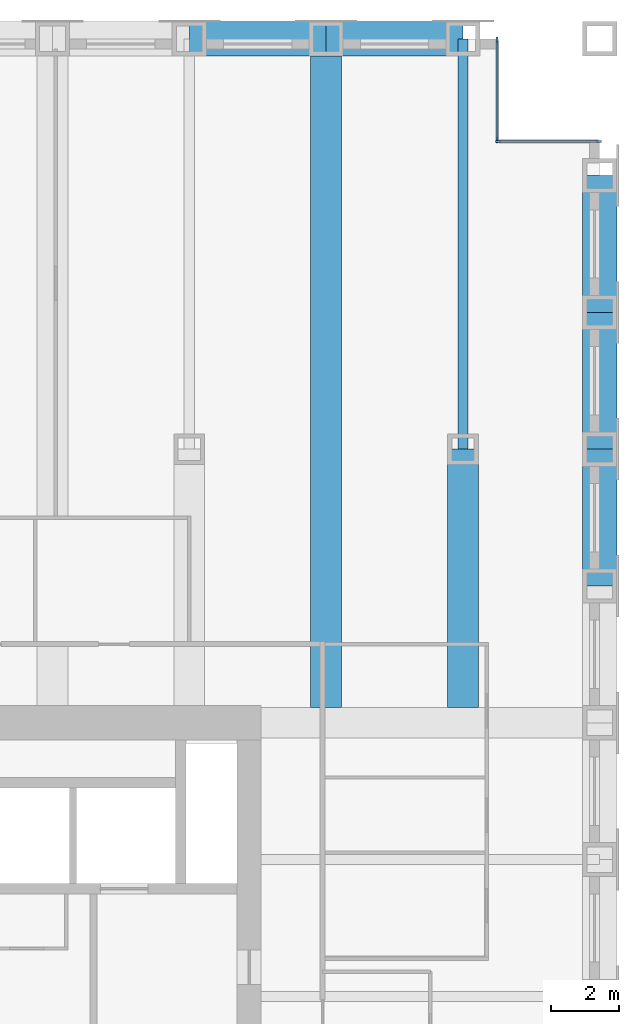
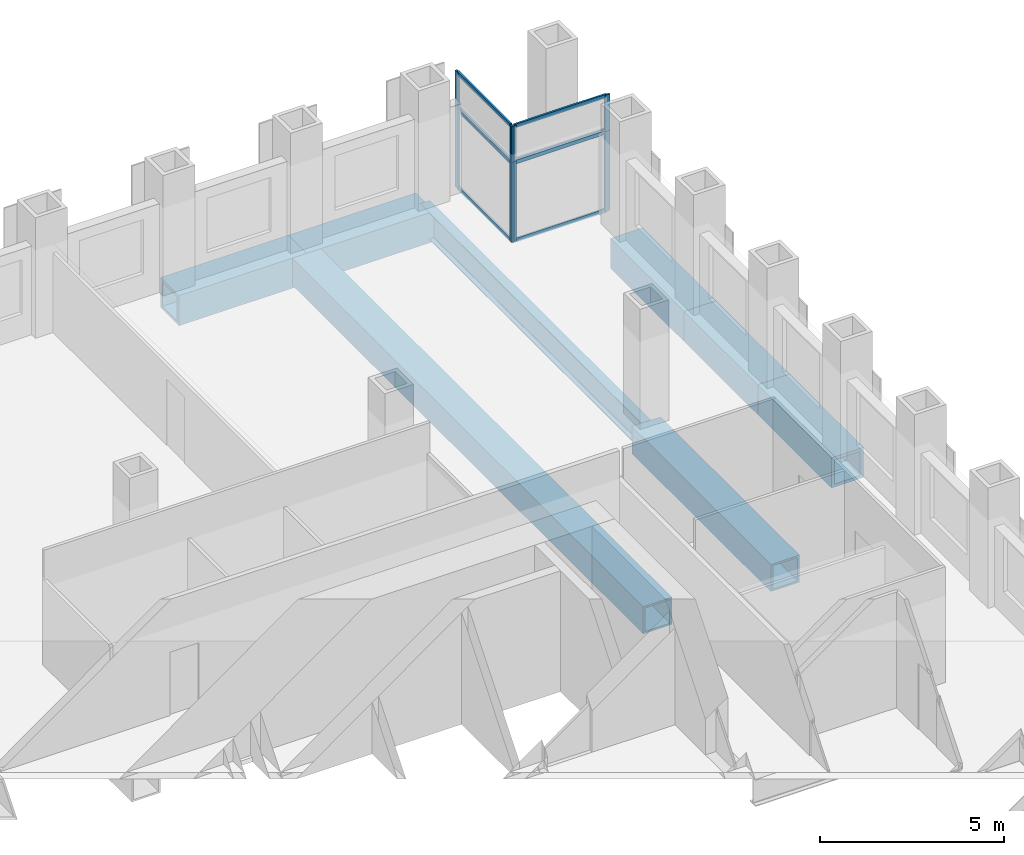
# One storey, part 7 of 13: 16 members, 8 beams, 4 elements without a shape of their own.
"""IFC4 building model written with IfcOpenShell, lengths in metres."""

from ifc_helpers import new_model, si_unit, direction, frame, origin, origin_2d, place, context, subcontext, project, spatial, rectangle, hollow_rectangle, i_section, extrude, material, material_profile, profile_set, type_object, element, aggregate, save


model = new_model("IFC4")

# Units and contexts
model_context = context("Model", 3, precision=1e-05, world=origin(), true_north=direction((0.0, 1.0)))
body_context = subcontext(model_context, "Body", "Model", "MODEL_VIEW")
ifc_project = project(units=[si_unit("LENGTHUNIT", "METRE"), si_unit("AREAUNIT", "SQUARE_METRE"), si_unit("VOLUMEUNIT", "CUBIC_METRE"), si_unit("PLANEANGLEUNIT", "RADIAN"), si_unit("MASSUNIT", "GRAM", prefix="KILO")], contexts=[model_context])

# Site, building, storey
site_placement = place(None, origin())
site = spatial("IfcSite", under=ifc_project, at=site_placement, CompositionType="ELEMENT")
building_placement = place(site_placement, origin())
building = spatial("IfcBuilding", under=site, at=building_placement, Name="Rimbunsela Tower", CompositionType="ELEMENT")
storey_placement = place(building_placement, frame((0.0, 0.0, 199.800048828125)))
storey = spatial("IfcBuildingStorey", under=building, at=storey_placement, Name="L48", CompositionType="ELEMENT", Elevation=199.800048828125)

# Beams
ifc_material_1 = material(Name="Steel BJ 55 (fy 410 MPa)", Category="steel")
ifc_material_profile_1 = material_profile(ifc_material_1, hollow_rectangle(XDim=1.0, YDim=1.0, WallThickness=0.10009765625, at=origin_2d()), Name="BOX 1000x1000x100")
ifc_profile_set_1 = profile_set([ifc_material_profile_1], Name="Steel BJ 55 (fy 410 MPa)")
beam_type_1 = type_object("IfcBeamType", Name="Beam BOX 1000x1000x100", PredefinedType="BEAM", material=ifc_profile_set_1)
for number, where, z_axis, x_axis, name in (
    (1, (34.0, 56.0, -0.650146484375), (1.0, 0.0, 0.0), (0.0, 1.0, 0.0), "Beam B3 L48"),
    (2, (38.0, 56.0, -0.650146484375), (1.0, 0.0, 0.0), (0.0, 1.0, 0.0), "Beam B3 L48"),
    (3, (46.0, 40.0, -0.650146484375), (0.0, 1.0, 0.0), (-1.0, 0.0, 0.0), "Beam B3 L48"),
    (4, (46.0, 44.0, -0.650146484375), (0.0, 1.0, 0.0), (-1.0, 0.0, 0.0), "Beam B3 L48"),
    (5, (46.0, 48.0, -0.650146484375), (0.0, 1.0, 0.0), (-1.0, 0.0, 0.0), "Beam B3 L48"),
):
    element("IfcBeam", number, at=place(storey_placement, frame(where, z_axis=z_axis, x_axis=x_axis)), inside=storey, type_object=beam_type_1, Name=name, PredefinedType="BEAM", context=body_context, shape_type="SweptSolid", body=[
        extrude(hollow_rectangle(XDim=1.0, YDim=1.0, WallThickness=0.10009765625, at=origin_2d()), origin(), (0.0, 0.0, 1.0), 4.0),
    ])
ifc_material_2 = material(Name="Steel BJ 55 (fy 410 MPa)", Category="steel")
ifc_material_profile_2 = material_profile(ifc_material_2, hollow_rectangle(XDim=0.89990234375, YDim=0.89990234375, WallThickness=0.06005859375, at=origin_2d()), Name="BOX 900x900x60")
ifc_profile_set_2 = profile_set([ifc_material_profile_2], Name="Steel BJ 55 (fy 410 MPa)")
beam_type_2 = type_object("IfcBeamType", Name="Beam BOX 900x900x60", PredefinedType="BEAM", material=ifc_profile_set_2)
beam_1_placement = place(storey_placement, frame((38.0, 36.449951171875, -0.60009765625), z_axis=(0.0, 1.0, 0.0), x_axis=(-1.0, 0.0, 0.0)))
element("IfcBeam", 6, at=beam_1_placement, inside=storey, type_object=beam_type_2, Name="Beam B1 L48", PredefinedType="BEAM", context=body_context, shape_type="SweptSolid", body=[
    extrude(hollow_rectangle(XDim=0.89990234375, YDim=0.89990234375, WallThickness=0.06005859375, at=origin_2d()), origin(), (0.0, 0.0, 1.0), 19.550048828125),
])
beam_2_placement = place(storey_placement, frame((42.0, 36.449951171875, -0.60009765625), z_axis=(0.0, 1.0, 0.0), x_axis=(-1.0, 0.0, 0.0)))
element("IfcBeam", 7, at=beam_2_placement, inside=storey, type_object=beam_type_2, Name="Beam B1 L48", PredefinedType="BEAM", context=body_context, shape_type="SweptSolid", body=[
    extrude(hollow_rectangle(XDim=0.89990234375, YDim=0.89990234375, WallThickness=0.06005859375, at=origin_2d()), origin(), (0.0, 0.0, 1.0), 7.550048828125),
])
ifc_material_3 = material(Name="Steel BJ 55 (fy 410 MPa)", Category="steel")
ifc_material_profile_3 = material_profile(ifc_material_3, i_section(OverallWidth=0.300048828125, OverallDepth=0.89990234375, WebThickness=0.01611328125, FlangeThickness=0.028076171875, FilletRadius=0.028076171875, at=origin_2d()), Name="H 900x300x16x28")
ifc_profile_set_3 = profile_set([ifc_material_profile_3], Name="Steel BJ 55 (fy 410 MPa)")
beam_type_3 = type_object("IfcBeamType", Name="Beam H 900x300x16x28", PredefinedType="BEAM", material=ifc_profile_set_3)
beam_3_placement = place(storey_placement, frame((42.0, 44.0, -0.60009765625), z_axis=(0.0, 1.0, 0.0), x_axis=(-1.0, 0.0, 0.0)))
element("IfcBeam", 8, at=beam_3_placement, inside=storey, type_object=beam_type_3, Name="Beam B2 L48", PredefinedType="BEAM", context=body_context, shape_type="SweptSolid", body=[
    extrude(i_section(OverallWidth=0.300048828125, OverallDepth=0.89990234375, WebThickness=0.01611328125, FlangeThickness=0.028076171875, FilletRadius=0.028076171875, at=origin_2d()), origin(), (0.0, 0.0, 1.0), 12.0),
])

# Curtain wall, members
ifc_material_4 = material(Name="Aluminium curtain wall", Category="aluminium")
curtain_wall_type_1 = type_object("IfcCurtainWallType", Name="Corner glazing", PredefinedType="USERDEFINED", material=ifc_material_4)
curtain_wall_1_placement = place(storey_placement, origin())
curtain_wall_1 = element("IfcCurtainWall", 9, at=curtain_wall_1_placement, inside=storey, type_object=curtain_wall_type_1, Name="Corner glazing L48", ObjectType="CORNER GLAZING", PredefinedType="USERDEFINED")
ifc_material_5 = material(Name="Aluminium mullion", Category="aluminium")
ifc_material_profile_4 = material_profile(ifc_material_5, rectangle(XDim=0.06005859375, YDim=0.159912109375, at=origin_2d()), Name="Mullion 60x160")
ifc_profile_set_4 = profile_set([ifc_material_profile_4], Name="Aluminium mullion")
member_type_1 = type_object("IfcMemberType", Name="Curtain wall mullion 60x160", PredefinedType="MULLION", material=ifc_profile_set_4)
member_1_placement = place(storey_placement, frame((45.969970703125, 53.0, 0.0), z_axis=(0.0, 0.0, 1.0), x_axis=(0.0, -1.0, 0.0)))
member_1 = element("IfcMember", 10, at=member_1_placement, type_object=member_type_1, Name="CW5 mullion 1", PredefinedType="MULLION", context=body_context, shape_type="SweptSolid", body=[
    extrude(rectangle(XDim=0.06005859375, YDim=0.159912109375, at=origin_2d()), origin(), (0.0, 0.0, 1.0), 2.64990234375),
])
member_2_placement = place(storey_placement, frame((43.030029296875, 53.0, 0.0), z_axis=(0.0, 0.0, 1.0), x_axis=(0.0, -1.0, 0.0)))
member_2 = element("IfcMember", 11, at=member_2_placement, type_object=member_type_1, Name="CW5 mullion 2", PredefinedType="MULLION", context=body_context, shape_type="SweptSolid", body=[
    extrude(rectangle(XDim=0.06005859375, YDim=0.159912109375, at=origin_2d()), origin(), (0.0, 0.0, 1.0), 2.64990234375),
])

ifc_material_6 = material(Name="Aluminium curtain wall", Category="aluminium")
curtain_wall_type_2 = type_object("IfcCurtainWallType", Name="Spandrel wall", PredefinedType="USERDEFINED", material=ifc_material_6)
curtain_wall_2_placement = place(storey_placement, origin())
curtain_wall_2 = element("IfcCurtainWall", 12, at=curtain_wall_2_placement, inside=storey, type_object=curtain_wall_type_2, Name="Spandrel wall L48", ObjectType="SPANDREL WALL", PredefinedType="USERDEFINED")
member_3_placement = place(storey_placement, frame((45.969970703125, 53.0, 2.64990234375), z_axis=(0.0, 0.0, 1.0), x_axis=(0.0, -1.0, 0.0)))
member_3 = element("IfcMember", 13, at=member_3_placement, type_object=member_type_1, Name="CW7 mullion 1", PredefinedType="MULLION", context=body_context, shape_type="SweptSolid", body=[
    extrude(rectangle(XDim=0.06005859375, YDim=0.159912109375, at=origin_2d()), origin(), (0.0, 0.0, 1.0), 1.199951171875),
])
member_4_placement = place(storey_placement, frame((43.030029296875, 53.0, 2.64990234375), z_axis=(0.0, 0.0, 1.0), x_axis=(0.0, -1.0, 0.0)))
member_4 = element("IfcMember", 14, at=member_4_placement, type_object=member_type_1, Name="CW7 mullion 2", PredefinedType="MULLION", context=body_context, shape_type="SweptSolid", body=[
    extrude(rectangle(XDim=0.06005859375, YDim=0.159912109375, at=origin_2d()), origin(), (0.0, 0.0, 1.0), 1.199951171875),
])

curtain_wall_3_placement = place(storey_placement, origin())
curtain_wall_3 = element("IfcCurtainWall", 15, at=curtain_wall_3_placement, inside=storey, type_object=curtain_wall_type_1, Name="Corner glazing L48", ObjectType="CORNER GLAZING", PredefinedType="USERDEFINED")
member_5_placement = place(storey_placement, frame((43.0, 53.030029296875, 0.0), z_axis=(0.0, 0.0, 1.0), x_axis=(-1.0, 0.0, 0.0)))
member_5 = element("IfcMember", 16, at=member_5_placement, type_object=member_type_1, Name="CW5 mullion 1", PredefinedType="MULLION", context=body_context, shape_type="SweptSolid", body=[
    extrude(rectangle(XDim=0.06005859375, YDim=0.159912109375, at=origin_2d()), origin(), (0.0, 0.0, 1.0), 2.64990234375),
])
member_6_placement = place(storey_placement, frame((43.0, 55.969970703125, 0.0), z_axis=(0.0, 0.0, 1.0), x_axis=(-1.0, 0.0, 0.0)))
member_6 = element("IfcMember", 17, at=member_6_placement, type_object=member_type_1, Name="CW5 mullion 2", PredefinedType="MULLION", context=body_context, shape_type="SweptSolid", body=[
    extrude(rectangle(XDim=0.06005859375, YDim=0.159912109375, at=origin_2d()), origin(), (0.0, 0.0, 1.0), 2.64990234375),
])

curtain_wall_4_placement = place(storey_placement, origin())
curtain_wall_4 = element("IfcCurtainWall", 18, at=curtain_wall_4_placement, inside=storey, type_object=curtain_wall_type_2, Name="Spandrel wall L48", ObjectType="SPANDREL WALL", PredefinedType="USERDEFINED")
member_7_placement = place(storey_placement, frame((43.0, 53.030029296875, 2.64990234375), z_axis=(0.0, 0.0, 1.0), x_axis=(-1.0, 0.0, 0.0)))
member_7 = element("IfcMember", 19, at=member_7_placement, type_object=member_type_1, Name="CW7 mullion 1", PredefinedType="MULLION", context=body_context, shape_type="SweptSolid", body=[
    extrude(rectangle(XDim=0.06005859375, YDim=0.159912109375, at=origin_2d()), origin(), (0.0, 0.0, 1.0), 1.199951171875),
])
member_8_placement = place(storey_placement, frame((43.0, 55.969970703125, 2.64990234375), z_axis=(0.0, 0.0, 1.0), x_axis=(-1.0, 0.0, 0.0)))
member_8 = element("IfcMember", 20, at=member_8_placement, type_object=member_type_1, Name="CW7 mullion 2", PredefinedType="MULLION", context=body_context, shape_type="SweptSolid", body=[
    extrude(rectangle(XDim=0.06005859375, YDim=0.159912109375, at=origin_2d()), origin(), (0.0, 0.0, 1.0), 1.199951171875),
])

# Member
ifc_material_7 = material(Name="Aluminium transom", Category="aluminium")
ifc_material_profile_5 = material_profile(ifc_material_7, rectangle(XDim=0.06005859375, YDim=0.1201171875, at=origin_2d()), Name="Transom 60x120")
ifc_profile_set_5 = profile_set([ifc_material_profile_5], Name="Aluminium transom")
member_type_2 = type_object("IfcMemberType", Name="Curtain wall transom 60x120", PredefinedType="USERDEFINED", material=ifc_profile_set_5)
member_9_placement = place(storey_placement, frame((45.93994140625, 53.0, 0.030029296875), z_axis=(-1.0, 0.0, 0.0), x_axis=(0.0, -1.0, 0.0)))
member_9 = element("IfcMember", 21, at=member_9_placement, type_object=member_type_2, Name="CW5 transom 1.1", ObjectType="TRANSOM", PredefinedType="USERDEFINED", context=body_context, shape_type="SweptSolid", body=[
    extrude(rectangle(XDim=0.06005859375, YDim=0.1201171875, at=origin_2d()), origin(), (0.0, 0.0, 1.0), 2.8798828125),
])

member_10_placement = place(storey_placement, frame((45.93994140625, 53.0, 2.619873046875), z_axis=(-1.0, 0.0, 0.0), x_axis=(0.0, -1.0, 0.0)))
member_10 = element("IfcMember", 22, at=member_10_placement, type_object=member_type_2, Name="CW5 transom 1.2", ObjectType="TRANSOM", PredefinedType="USERDEFINED", context=body_context, shape_type="SweptSolid", body=[
    extrude(rectangle(XDim=0.06005859375, YDim=0.1201171875, at=origin_2d()), origin(), (0.0, 0.0, 1.0), 2.8798828125),
])

aggregate(curtain_wall_1, [member_1, member_2, member_9, member_10])

member_11_placement = place(storey_placement, frame((45.93994140625, 53.0, 2.679931640625), z_axis=(-1.0, 0.0, 0.0), x_axis=(0.0, -1.0, 0.0)))
member_11 = element("IfcMember", 23, at=member_11_placement, type_object=member_type_2, Name="CW7 transom 1.1", ObjectType="TRANSOM", PredefinedType="USERDEFINED", context=body_context, shape_type="SweptSolid", body=[
    extrude(rectangle(XDim=0.06005859375, YDim=0.1201171875, at=origin_2d()), origin(), (0.0, 0.0, 1.0), 2.8798828125),
])

member_12_placement = place(storey_placement, frame((45.93994140625, 53.0, 3.820068359375), z_axis=(-1.0, 0.0, 0.0), x_axis=(0.0, -1.0, 0.0)))
member_12 = element("IfcMember", 24, at=member_12_placement, type_object=member_type_2, Name="CW7 transom 1.2", ObjectType="TRANSOM", PredefinedType="USERDEFINED", context=body_context, shape_type="SweptSolid", body=[
    extrude(rectangle(XDim=0.06005859375, YDim=0.1201171875, at=origin_2d()), origin(), (0.0, 0.0, 1.0), 2.8798828125),
])

aggregate(curtain_wall_2, [member_3, member_4, member_11, member_12])

member_13_placement = place(storey_placement, frame((43.0, 53.06005859375, 0.030029296875), z_axis=(0.0, 1.0, 0.0), x_axis=(-1.0, 0.0, 0.0)))
member_13 = element("IfcMember", 25, at=member_13_placement, type_object=member_type_2, Name="CW5 transom 1.1", ObjectType="TRANSOM", PredefinedType="USERDEFINED", context=body_context, shape_type="SweptSolid", body=[
    extrude(rectangle(XDim=0.06005859375, YDim=0.1201171875, at=origin_2d()), origin(), (0.0, 0.0, 1.0), 2.8798828125),
])

member_14_placement = place(storey_placement, frame((43.0, 53.06005859375, 2.619873046875), z_axis=(0.0, 1.0, 0.0), x_axis=(-1.0, 0.0, 0.0)))
member_14 = element("IfcMember", 26, at=member_14_placement, type_object=member_type_2, Name="CW5 transom 1.2", ObjectType="TRANSOM", PredefinedType="USERDEFINED", context=body_context, shape_type="SweptSolid", body=[
    extrude(rectangle(XDim=0.06005859375, YDim=0.1201171875, at=origin_2d()), origin(), (0.0, 0.0, 1.0), 2.8798828125),
])

aggregate(curtain_wall_3, [member_5, member_6, member_13, member_14])

member_15_placement = place(storey_placement, frame((43.0, 53.06005859375, 2.679931640625), z_axis=(0.0, 1.0, 0.0), x_axis=(-1.0, 0.0, 0.0)))
member_15 = element("IfcMember", 27, at=member_15_placement, type_object=member_type_2, Name="CW7 transom 1.1", ObjectType="TRANSOM", PredefinedType="USERDEFINED", context=body_context, shape_type="SweptSolid", body=[
    extrude(rectangle(XDim=0.06005859375, YDim=0.1201171875, at=origin_2d()), origin(), (0.0, 0.0, 1.0), 2.8798828125),
])

member_16_placement = place(storey_placement, frame((43.0, 53.06005859375, 3.820068359375), z_axis=(0.0, 1.0, 0.0), x_axis=(-1.0, 0.0, 0.0)))
member_16 = element("IfcMember", 28, at=member_16_placement, type_object=member_type_2, Name="CW7 transom 1.2", ObjectType="TRANSOM", PredefinedType="USERDEFINED", context=body_context, shape_type="SweptSolid", body=[
    extrude(rectangle(XDim=0.06005859375, YDim=0.1201171875, at=origin_2d()), origin(), (0.0, 0.0, 1.0), 2.8798828125),
])

aggregate(curtain_wall_4, [member_7, member_8, member_15, member_16])

save(model, "model.ifc")
